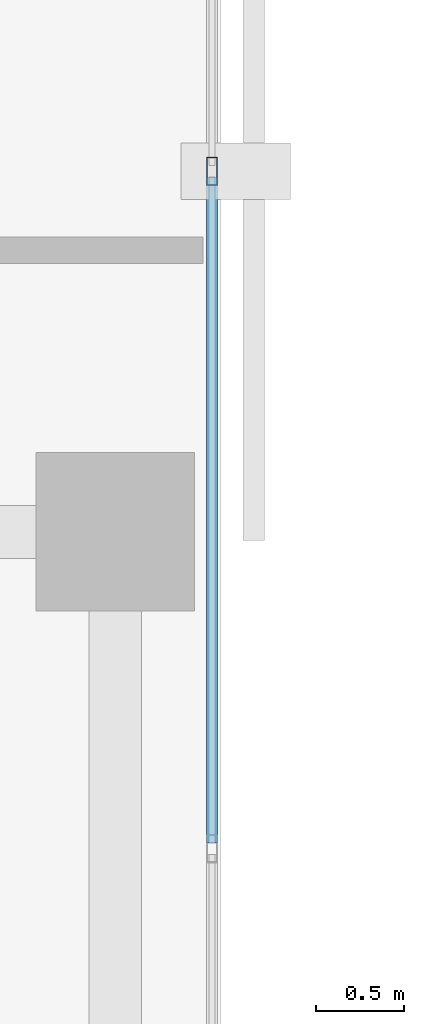
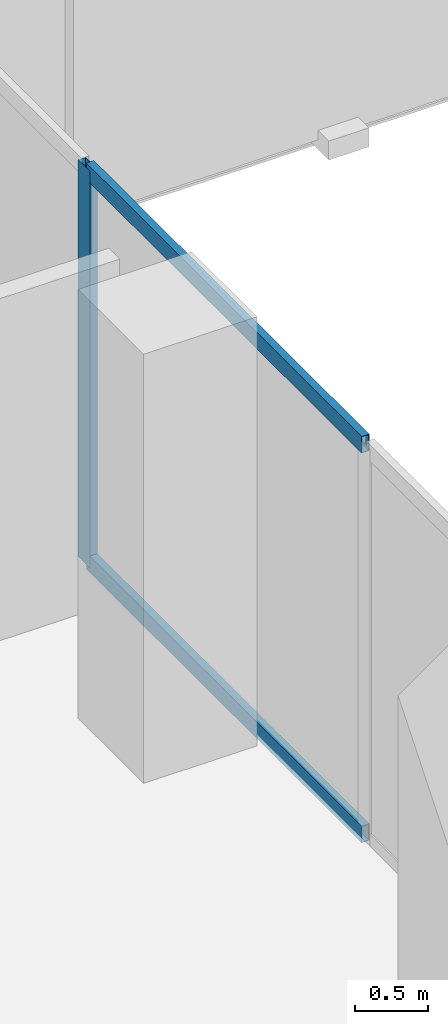
# One storey, part 8 of 34: 3 members, 1 element without a shape of its own.
"""IFC4 building model written with IfcOpenShell, lengths in metres."""

from ifc_helpers import new_model, si_unit, direction, frame, origin, origin_2d, place, context, subcontext, project, spatial, hollow_rectangle, extrude, material, layer, layer_set, material_profile, profile_set, type_object, element, aggregate, save


model = new_model("IFC4")

# Units and contexts
model_context = context("Model", 3, precision=1e-05, world=origin(), true_north=direction((0.0, 1.0)))
body_context = subcontext(model_context, "Body", "Model", "MODEL_VIEW")
ifc_project = project(units=[si_unit("LENGTHUNIT", "METRE"), si_unit("AREAUNIT", "SQUARE_METRE"), si_unit("VOLUMEUNIT", "CUBIC_METRE"), si_unit("PLANEANGLEUNIT", "RADIAN"), si_unit("MASSUNIT", "GRAM", prefix="KILO")], contexts=[model_context])

# Site, building, storey
site_placement = place(None, origin())
site = spatial("IfcSite", under=ifc_project, at=site_placement, CompositionType="ELEMENT")
building_placement = place(site_placement, origin())
building = spatial("IfcBuilding", under=site, at=building_placement, Name="Catumbela Crestline Tower", CompositionType="ELEMENT")
storey_placement = place(building_placement, frame((0.0, 0.0, 115.2)))
storey = spatial("IfcBuildingStorey", under=building, at=storey_placement, Name="L29", CompositionType="ELEMENT", Elevation=115.2)

# Curtain wall, members
ifc_material = material(Name="Aluminium alloy AW-6060-T66", Category="aluminium")
ifc_layer = layer(ifc_material, 0.18, Name="Aluminium alloy AW-6060-T66")
ifc_layer_set = layer_set([ifc_layer], Name="Aluminium alloy AW-6060-T66")
curtain_wall_type = type_object("IfcCurtainWallType", Name="CWU-Z2", PredefinedType="USERDEFINED", material=ifc_layer_set)
curtain_wall_placement = place(storey_placement, origin())
curtain_wall = element("IfcCurtainWall", 1, at=curtain_wall_placement, inside=storey, type_object=curtain_wall_type, Name="L29 Unitised Curtain Wall CW-L29-E2S1", ObjectType="UNITISED", PredefinedType="USERDEFINED")
ifc_material_profile_1 = material_profile(ifc_material, hollow_rectangle(XDim=0.06, YDim=0.16, WallThickness=0.004, at=origin_2d()), Name="ALU 160x60x4")
ifc_profile_set_1 = profile_set([ifc_material_profile_1], Name="Aluminium alloy AW-6060-T66")
member_type_1 = type_object("IfcMemberType", Name="MUL-160X60", PredefinedType="MULLION", material=ifc_profile_set_1)
member_1_placement = place(storey_placement, frame((23.95, 20.05, 0.0), z_axis=(0.0, 0.0, 1.0), x_axis=(-1.0, 0.0, 0.0)))
member_1 = element("IfcMember", 2, at=member_1_placement, type_object=member_type_1, Name="CWU-Z2 mullion 4", PredefinedType="MULLION", context=body_context, shape_type="SweptSolid", body=[
    extrude(hollow_rectangle(XDim=0.06, YDim=0.16, WallThickness=0.004, at=origin_2d()), origin(), (0.0, 0.0, 1.0), 3.33),
])
ifc_material_profile_2 = material_profile(ifc_material, hollow_rectangle(XDim=0.06, YDim=0.14, WallThickness=0.004, at=origin_2d()), Name="ALU 140x60x4")
ifc_profile_set_2 = profile_set([ifc_material_profile_2], Name="Aluminium alloy AW-6060-T66")
member_type_2 = type_object("IfcMemberType", Name="TRN-140X60", PredefinedType="USERDEFINED", material=ifc_profile_set_2)
member_2_placement = place(storey_placement, frame((23.95, 16.2325, 0.03), z_axis=(0.0, 1.0, 0.0), x_axis=(-1.0, 0.0, 0.0)))
member_2 = element("IfcMember", 3, at=member_2_placement, type_object=member_type_2, Name="CWU-Z2 transom 3.1", ObjectType="TRANSOM", PredefinedType="USERDEFINED", context=body_context, shape_type="SweptSolid", body=[
    extrude(hollow_rectangle(XDim=0.06, YDim=0.14, WallThickness=0.004, at=origin_2d()), origin(), (0.0, 0.0, 1.0), 3.785),
])
member_3_placement = place(storey_placement, frame((23.95, 16.2325, 3.3), z_axis=(0.0, 1.0, 0.0), x_axis=(-1.0, 0.0, 0.0)))
member_3 = element("IfcMember", 4, at=member_3_placement, type_object=member_type_2, Name="CWU-Z2 transom 3.2", ObjectType="TRANSOM", PredefinedType="USERDEFINED", context=body_context, shape_type="SweptSolid", body=[
    extrude(hollow_rectangle(XDim=0.06, YDim=0.14, WallThickness=0.004, at=origin_2d()), origin(), (0.0, 0.0, 1.0), 3.785),
])
aggregate(curtain_wall, [member_1, member_2, member_3])

save(model, "model.ifc")
